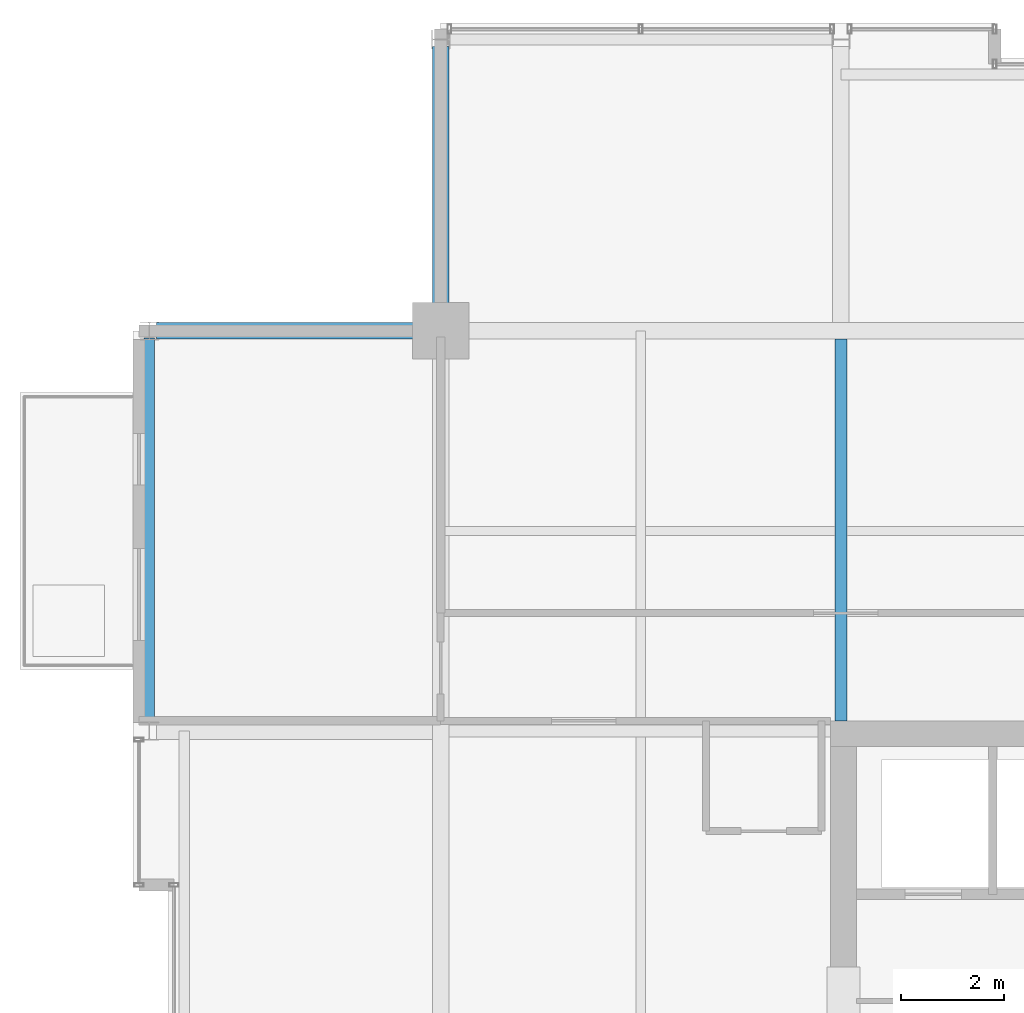
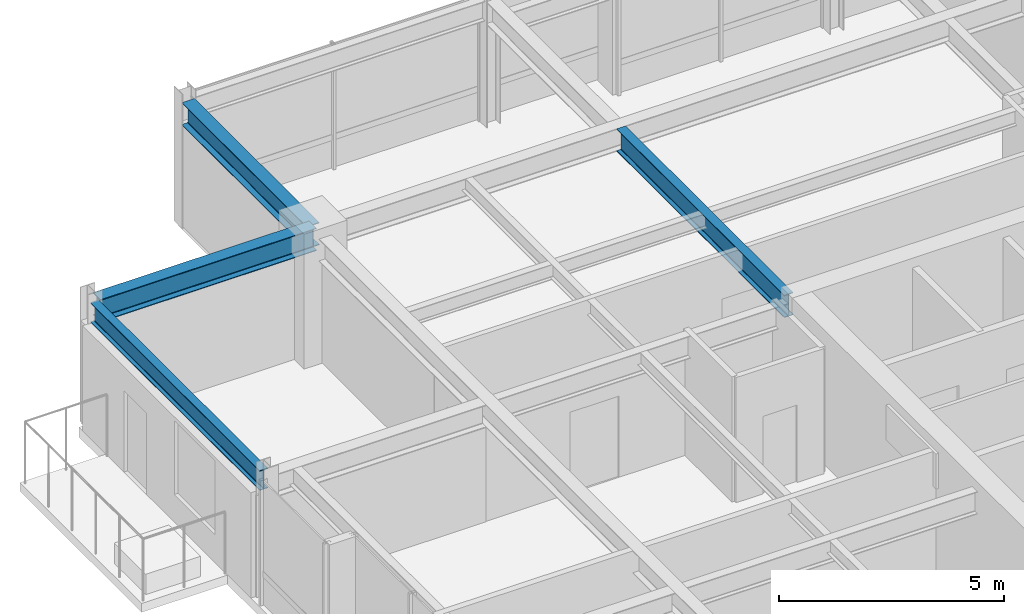
# One storey, part 20 of 33: 4 beams.
"""IFC4 building model written with IfcOpenShell, lengths in metres."""

from ifc_helpers import new_model, si_unit, direction, frame, origin, origin_2d, place, context, subcontext, project, spatial, i_section, extrude, material, material_profile, profile_set, type_object, element, save


model = new_model("IFC4")

# Units and contexts
model_context = context("Model", 3, precision=1e-05, world=origin(), true_north=direction((0.0, 1.0)))
body_context = subcontext(model_context, "Body", "Model", "MODEL_VIEW")
ifc_project = project(units=[si_unit("LENGTHUNIT", "METRE"), si_unit("AREAUNIT", "SQUARE_METRE"), si_unit("VOLUMEUNIT", "CUBIC_METRE"), si_unit("PLANEANGLEUNIT", "RADIAN"), si_unit("MASSUNIT", "GRAM", prefix="KILO")], contexts=[model_context])

# Site, building, storey
site_placement = place(None, origin())
site = spatial("IfcSite", under=ifc_project, at=site_placement, CompositionType="ELEMENT")
building_placement = place(site_placement, origin())
building = spatial("IfcBuilding", under=site, at=building_placement, Name="Drelvath Grand Hotel", CompositionType="ELEMENT")
storey_placement = place(building_placement, frame((0.0, 0.0, 283.25)))
storey = spatial("IfcBuildingStorey", under=building, at=storey_placement, Name="L74", CompositionType="ELEMENT", Elevation=283.25)

# Beams
ifc_material = material(Name="Steel ASTM A992 Gr 50", Category="steel")
ifc_material_profile_1 = material_profile(ifc_material, i_section(OverallWidth=0.210205078125, OverallDepth=0.53662109375, WebThickness=0.010986328125, FlangeThickness=0.017333984375, FilletRadius=0.01806640625, at=origin_2d()), Name="W21X68")
ifc_profile_set_1 = profile_set([ifc_material_profile_1], Name="Steel ASTM A992 Gr 50")
beam_type_1 = type_object("IfcBeamType", Name="Perimeter Spandrel Beam W21X68", PredefinedType="SPANDREL", material=ifc_profile_set_1)
beam_1_placement = place(storey_placement, frame((-21.8798828125, 35.5400390625, 3.12158203125), z_axis=(0.0, 1.0, 0.0), x_axis=(-1.0, 0.0, 0.0)))
element("IfcBeam", 1, at=beam_1_placement, inside=storey, type_object=beam_type_1, Name="L74 Spandrel West N", PredefinedType="SPANDREL", context=body_context, shape_type="SweptSolid", body=[
    extrude(i_section(OverallWidth=0.210205078125, OverallDepth=0.53662109375, WebThickness=0.010986328125, FlangeThickness=0.017333984375, FilletRadius=0.01806640625, at=origin_2d()), origin(), (0.0, 0.0, 1.0), 7.52001953125),
])
ifc_material_profile_2 = material_profile(ifc_material, i_section(OverallWidth=0.323974609375, OverallDepth=0.611083984375, WebThickness=0.0126953125, FlangeThickness=0.01904296875, FilletRadius=0.02197265625, at=origin_2d()), Name="W24X104")
ifc_profile_set_2 = profile_set([ifc_material_profile_2], Name="Steel ASTM A992 Gr 50")
beam_type_2 = type_object("IfcBeamType", Name="Primary Floor Girder W24X104", PredefinedType="BEAM", material=ifc_profile_set_2)
for number, where, z_axis, x_axis, name in (
    (2, (-21.739990234375, 43.199951171875, 3.08447265625), (1.0, 0.0, 0.0), (0.0, 1.0, 0.0), "L74 West Grid Girder G"),
    (3, (-16.199951171875, 43.199951171875, 3.08447265625), (0.0, 1.0, 0.0), (-1.0, 0.0, 0.0), "L74 North Grid Girder 3"),
):
    element("IfcBeam", number, at=place(storey_placement, frame(where, z_axis=z_axis, x_axis=x_axis)), inside=storey, type_object=beam_type_2, Name=name, PredefinedType="BEAM", context=body_context, shape_type="SweptSolid", body=[
        extrude(i_section(OverallWidth=0.323974609375, OverallDepth=0.611083984375, WebThickness=0.0126953125, FlangeThickness=0.01904296875, FilletRadius=0.02197265625, at=origin_2d()), origin(), (0.0, 0.0, 1.0), 5.5400390625),
    ])
ifc_material_profile_3 = material_profile(ifc_material, i_section(OverallWidth=0.228271484375, OverallDepth=0.607666015625, WebThickness=0.01123046875, FlangeThickness=0.017333984375, FilletRadius=0.02001953125, at=origin_2d()), Name="W24X76")
ifc_profile_set_3 = profile_set([ifc_material_profile_3], Name="Steel ASTM A992 Gr 50")
beam_type_3 = type_object("IfcBeamType", Name="Primary Floor Girder W24X76", PredefinedType="BEAM", material=ifc_profile_set_3)
beam_2_placement = place(storey_placement, frame((-8.39990234375, 35.60009765625, 3.086181640625), z_axis=(0.0, 1.0, 0.0), x_axis=(-1.0, 0.0, 0.0)))
element("IfcBeam", 4, at=beam_2_placement, inside=storey, type_object=beam_type_3, Name="L74 North Core Tie 4", PredefinedType="BEAM", context=body_context, shape_type="SweptSolid", body=[
    extrude(i_section(OverallWidth=0.228271484375, OverallDepth=0.607666015625, WebThickness=0.01123046875, FlangeThickness=0.017333984375, FilletRadius=0.02001953125, at=origin_2d()), origin(), (0.0, 0.0, 1.0), 7.43798828125),
])

save(model, "model.ifc")
